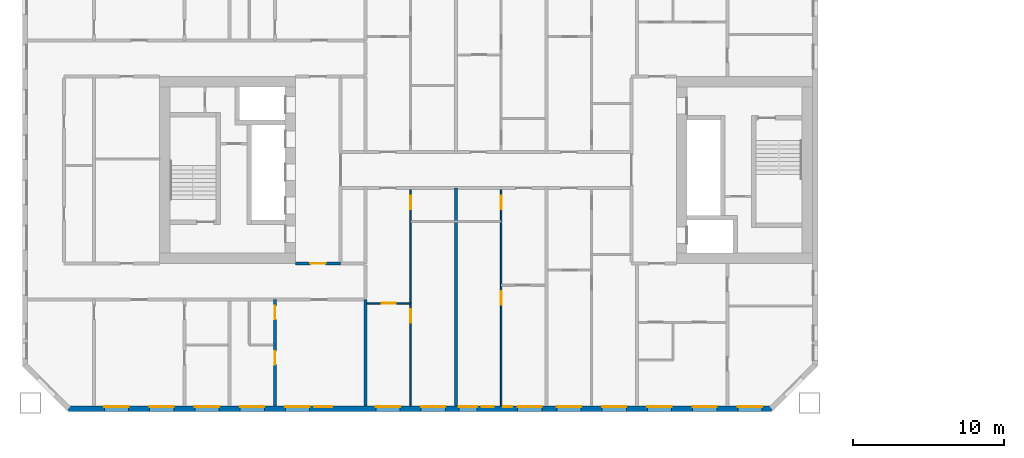
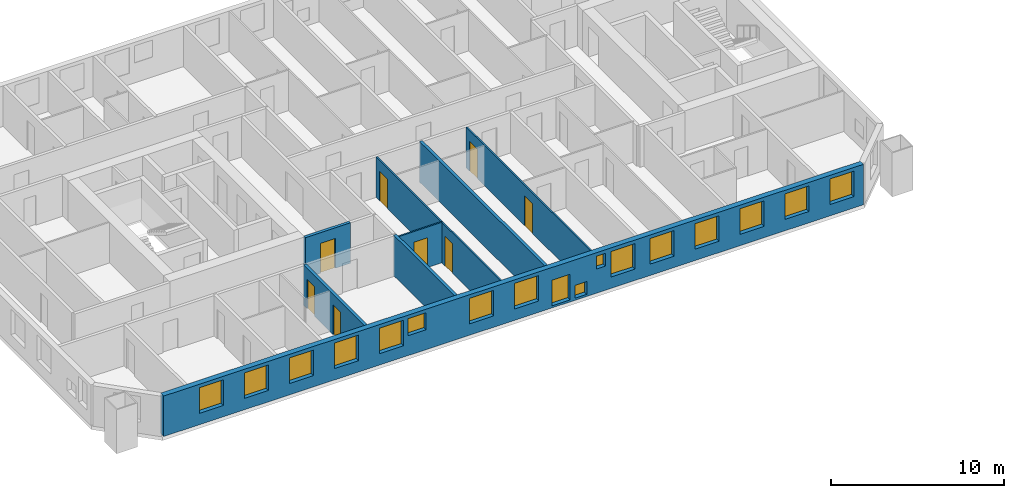
# One storey, part 3 of 17: 17 windows, 8 doors, 8 walls, 25 openings.
"""IFC4 building model written with IfcOpenShell, lengths in metres."""

from ifc_helpers import new_model, si_unit, direction, frame, frame_2d, origin, place, context, subcontext, project, spatial, rectangle, extrude, material, layer, layer_set, type_object, element, fill, save


model = new_model("IFC4")

# Units and contexts
model_context = context("Model", 3, precision=1e-05, world=origin(), true_north=direction((0.0, 1.0)))
body_context = subcontext(model_context, "Body", "Model", "MODEL_VIEW")
ifc_project = project(units=[si_unit("LENGTHUNIT", "METRE"), si_unit("AREAUNIT", "SQUARE_METRE"), si_unit("VOLUMEUNIT", "CUBIC_METRE"), si_unit("PLANEANGLEUNIT", "RADIAN"), si_unit("MASSUNIT", "GRAM", prefix="KILO")], contexts=[model_context])

# Site, building, storey
site_placement = place(None, origin())
site = spatial("IfcSite", under=ifc_project, at=site_placement, CompositionType="ELEMENT")
building_placement = place(site_placement, origin())
building = spatial("IfcBuilding", under=site, at=building_placement, Name="Tuart Gate Housing", CompositionType="ELEMENT")
storey_placement = place(building_placement, frame((0.0, 0.0, 84.0)))
storey = spatial("IfcBuildingStorey", under=building, at=storey_placement, Name="L23", CompositionType="ELEMENT", Elevation=84.0)

# Wall, openings, windows
ifc_material_1 = material(Name="Brick", Category="masonry")
ifc_layer_1 = layer(ifc_material_1, 0.360107421875)
ifc_layer_set_1 = layer_set([ifc_layer_1], Name="Brick pier and spandrel wall 360")
wall_type_1 = type_object("IfcWallType", Name="Brick pier and spandrel wall 360", PredefinedType="STANDARD", material=ifc_layer_set_1)
wall_1_placement = place(storey_placement, frame((26.32470703125, 54.179931640625, 0.0), z_axis=(0.0, 0.0, 1.0), x_axis=(1.0, 0.0, 0.0)))
wall_1 = element("IfcWall", 1, at=wall_1_placement, inside=storey, type_object=wall_type_1, Name="External wall A-S L23", PredefinedType="STANDARD", context=body_context, shape_type="SweptSolid", body=[
    extrude(rectangle(XDim=46.600830078125, YDim=0.360107421875, at=frame_2d((23.30029296875, 0.0))), origin(), (0.0, 0.0, 1.0), 2.85009765625),
])
opening_1_placement = place(wall_1_placement, frame((2.37548828125, 0.0, 0.800048828125)))
opening_1 = element("IfcOpeningElement", 2, at=opening_1_placement, cuts=wall_1, Name="Opening W1", PredefinedType="OPENING", context=body_context, shape_type="SweptSolid", body=[
    extrude(rectangle(XDim=1.60009765625, YDim=1.800048828125, at=frame_2d((0.800048828125, 0.89990234375))), frame((0.0, 0.18994140625, 0.0), z_axis=(0.0, -1.0, 0.0), x_axis=(1.0, 0.0, 0.0)), (0.0, 0.0, 1.0), 0.380126953125),
])
opening_2_placement = place(wall_1_placement, frame((5.37548828125, 0.0, 0.800048828125)))
opening_2 = element("IfcOpeningElement", 3, at=opening_2_placement, cuts=wall_1, Name="Opening W1", PredefinedType="OPENING", context=body_context, shape_type="SweptSolid", body=[
    extrude(rectangle(XDim=1.60009765625, YDim=1.800048828125, at=frame_2d((0.800048828125, 0.89990234375))), frame((0.0, 0.18994140625, 0.0), z_axis=(0.0, -1.0, 0.0), x_axis=(1.0, 0.0, 0.0)), (0.0, 0.0, 1.0), 0.380126953125),
])
opening_3_placement = place(wall_1_placement, frame((8.37548828125, 0.0, 0.800048828125)))
opening_3 = element("IfcOpeningElement", 4, at=opening_3_placement, cuts=wall_1, Name="Opening W1", PredefinedType="OPENING", context=body_context, shape_type="SweptSolid", body=[
    extrude(rectangle(XDim=1.60009765625, YDim=1.800048828125, at=frame_2d((0.800048828125, 0.89990234375))), frame((0.0, 0.18994140625, 0.0), z_axis=(0.0, -1.0, 0.0), x_axis=(1.0, 0.0, 0.0)), (0.0, 0.0, 1.0), 0.380126953125),
])
opening_4_placement = place(wall_1_placement, frame((11.37548828125, 0.0, 0.800048828125)))
opening_4 = element("IfcOpeningElement", 5, at=opening_4_placement, cuts=wall_1, Name="Opening W1", PredefinedType="OPENING", context=body_context, shape_type="SweptSolid", body=[
    extrude(rectangle(XDim=1.60009765625, YDim=1.800048828125, at=frame_2d((0.800048828125, 0.89990234375))), frame((0.0, 0.18994140625, 0.0), z_axis=(0.0, -1.0, 0.0), x_axis=(1.0, 0.0, 0.0)), (0.0, 0.0, 1.0), 0.380126953125),
])
opening_5_placement = place(wall_1_placement, frame((14.37548828125, 0.0, 0.800048828125)))
opening_5 = element("IfcOpeningElement", 6, at=opening_5_placement, cuts=wall_1, Name="Opening W1", PredefinedType="OPENING", context=body_context, shape_type="SweptSolid", body=[
    extrude(rectangle(XDim=1.60009765625, YDim=1.800048828125, at=frame_2d((0.800048828125, 0.89990234375))), frame((0.0, 0.18994140625, 0.0), z_axis=(0.0, -1.0, 0.0), x_axis=(1.0, 0.0, 0.0)), (0.0, 0.0, 1.0), 0.380126953125),
])
opening_6_placement = place(wall_1_placement, frame((16.275390625, 0.0, 1.39990234375)))
opening_6 = element("IfcOpeningElement", 7, at=opening_6_placement, cuts=wall_1, Name="Opening W1N", PredefinedType="OPENING", context=body_context, shape_type="SweptSolid", body=[
    extrude(rectangle(XDim=1.199951171875, YDim=1.199951171875, at=frame_2d((0.60009765625, 0.60009765625))), frame((0.0, 0.18994140625, 0.0), z_axis=(0.0, -1.0, 0.0), x_axis=(1.0, 0.0, 0.0)), (0.0, 0.0, 1.0), 0.380126953125),
])
opening_7_placement = place(wall_1_placement, frame((20.37548828125, 0.0, 0.800048828125)))
opening_7 = element("IfcOpeningElement", 8, at=opening_7_placement, cuts=wall_1, Name="Opening W1", PredefinedType="OPENING", context=body_context, shape_type="SweptSolid", body=[
    extrude(rectangle(XDim=1.60009765625, YDim=1.800048828125, at=frame_2d((0.800048828125, 0.89990234375))), frame((0.0, 0.18994140625, 0.0), z_axis=(0.0, -1.0, 0.0), x_axis=(1.0, 0.0, 0.0)), (0.0, 0.0, 1.0), 0.380126953125),
])
opening_8_placement = place(wall_1_placement, frame((23.37548828125, 0.0, 0.800048828125)))
opening_8 = element("IfcOpeningElement", 9, at=opening_8_placement, cuts=wall_1, Name="Opening W1", PredefinedType="OPENING", context=body_context, shape_type="SweptSolid", body=[
    extrude(rectangle(XDim=1.60009765625, YDim=1.800048828125, at=frame_2d((0.800048828125, 0.89990234375))), frame((0.0, 0.18994140625, 0.0), z_axis=(0.0, -1.0, 0.0), x_axis=(1.0, 0.0, 0.0)), (0.0, 0.0, 1.0), 0.380126953125),
])
opening_9_placement = place(wall_1_placement, frame((25.87548828125, 0.0, 0.14990234375)))
opening_9 = element("IfcOpeningElement", 10, at=opening_9_placement, cuts=wall_1, Name="Opening W1B", PredefinedType="OPENING", context=body_context, shape_type="SweptSolid", body=[
    extrude(rectangle(XDim=1.199951171875, YDim=1.800048828125, at=frame_2d((0.60009765625, 0.89990234375))), frame((0.0, 0.18994140625, 0.0), z_axis=(0.0, -1.0, 0.0), x_axis=(1.0, 0.0, 0.0)), (0.0, 0.0, 1.0), 0.380126953125),
])
opening_10_placement = place(wall_1_placement, frame((28.825439453125, 0.0, 1.699951171875)))
opening_10 = element("IfcOpeningElement", 11, at=opening_10_placement, cuts=wall_1, Name="Opening W1W", PredefinedType="OPENING", context=body_context, shape_type="SweptSolid", body=[
    extrude(rectangle(XDim=0.60009765625, YDim=0.89990234375, at=frame_2d((0.300048828125, 0.449951171875))), frame((0.0, 0.18994140625, 0.0), z_axis=(0.0, -1.0, 0.0), x_axis=(1.0, 0.0, 0.0)), (0.0, 0.0, 1.0), 0.380126953125),
])
opening_11_placement = place(wall_1_placement, frame((32.37548828125, 0.0, 0.800048828125)))
opening_11 = element("IfcOpeningElement", 12, at=opening_11_placement, cuts=wall_1, Name="Opening W1", PredefinedType="OPENING", context=body_context, shape_type="SweptSolid", body=[
    extrude(rectangle(XDim=1.60009765625, YDim=1.800048828125, at=frame_2d((0.800048828125, 0.89990234375))), frame((0.0, 0.18994140625, 0.0), z_axis=(0.0, -1.0, 0.0), x_axis=(1.0, 0.0, 0.0)), (0.0, 0.0, 1.0), 0.380126953125),
])
opening_12_placement = place(wall_1_placement, frame((35.37548828125, 0.0, 0.800048828125)))
opening_12 = element("IfcOpeningElement", 13, at=opening_12_placement, cuts=wall_1, Name="Opening W1", PredefinedType="OPENING", context=body_context, shape_type="SweptSolid", body=[
    extrude(rectangle(XDim=1.60009765625, YDim=1.800048828125, at=frame_2d((0.800048828125, 0.89990234375))), frame((0.0, 0.18994140625, 0.0), z_axis=(0.0, -1.0, 0.0), x_axis=(1.0, 0.0, 0.0)), (0.0, 0.0, 1.0), 0.380126953125),
])
opening_13_placement = place(wall_1_placement, frame((38.37548828125, 0.0, 0.800048828125)))
opening_13 = element("IfcOpeningElement", 14, at=opening_13_placement, cuts=wall_1, Name="Opening W1", PredefinedType="OPENING", context=body_context, shape_type="SweptSolid", body=[
    extrude(rectangle(XDim=1.60009765625, YDim=1.800048828125, at=frame_2d((0.800048828125, 0.89990234375))), frame((0.0, 0.18994140625, 0.0), z_axis=(0.0, -1.0, 0.0), x_axis=(1.0, 0.0, 0.0)), (0.0, 0.0, 1.0), 0.380126953125),
])
opening_14_placement = place(wall_1_placement, frame((41.37548828125, 0.0, 0.800048828125)))
opening_14 = element("IfcOpeningElement", 15, at=opening_14_placement, cuts=wall_1, Name="Opening W1", PredefinedType="OPENING", context=body_context, shape_type="SweptSolid", body=[
    extrude(rectangle(XDim=1.60009765625, YDim=1.800048828125, at=frame_2d((0.800048828125, 0.89990234375))), frame((0.0, 0.18994140625, 0.0), z_axis=(0.0, -1.0, 0.0), x_axis=(1.0, 0.0, 0.0)), (0.0, 0.0, 1.0), 0.380126953125),
])
opening_15_placement = place(wall_1_placement, frame((44.37548828125, 0.0, 0.800048828125)))
opening_15 = element("IfcOpeningElement", 16, at=opening_15_placement, cuts=wall_1, Name="Opening W1", PredefinedType="OPENING", context=body_context, shape_type="SweptSolid", body=[
    extrude(rectangle(XDim=1.60009765625, YDim=1.800048828125, at=frame_2d((0.800048828125, 0.89990234375))), frame((0.0, 0.18994140625, 0.0), z_axis=(0.0, -1.0, 0.0), x_axis=(1.0, 0.0, 0.0)), (0.0, 0.0, 1.0), 0.380126953125),
])
opening_16_placement = place(wall_1_placement, frame((27.37548828125, 0.0, 0.14990234375)))
opening_16 = element("IfcOpeningElement", 17, at=opening_16_placement, cuts=wall_1, Name="Opening W1V", PredefinedType="OPENING", context=body_context, shape_type="SweptSolid", body=[
    extrude(rectangle(XDim=0.800048828125, YDim=0.89990234375, at=frame_2d((0.39990234375, 0.449951171875))), frame((0.0, 0.18994140625, 0.0), z_axis=(0.0, -1.0, 0.0), x_axis=(1.0, 0.0, 0.0)), (0.0, 0.0, 1.0), 0.380126953125),
])
opening_17_placement = place(wall_1_placement, frame((29.775390625, 0.0, 0.800048828125)))
opening_17 = element("IfcOpeningElement", 18, at=opening_17_placement, cuts=wall_1, Name="Opening W1", PredefinedType="OPENING", context=body_context, shape_type="SweptSolid", body=[
    extrude(rectangle(XDim=1.60009765625, YDim=1.800048828125, at=frame_2d((0.800048828125, 0.89990234375))), frame((0.0, 0.18994140625, 0.0), z_axis=(0.0, -1.0, 0.0), x_axis=(1.0, 0.0, 0.0)), (0.0, 0.0, 1.0), 0.380126953125),
])
ifc_material_2 = material(Name="Aluminium frame with clear glass", Category="aluminium")
window_type_1 = type_object("IfcWindowType", Name="Punched window 1200 x 1200", PartitioningType="SINGLE_PANEL", PredefinedType="WINDOW", material=ifc_material_2)
window_1_placement = place(opening_6_placement, origin())
window_1 = element("IfcWindow", 19, at=window_1_placement, inside=storey, type_object=window_type_1, Name="Window W1N", OverallHeight=1.199951171875, OverallWidth=1.199951171875, PartitioningType="SINGLE_PANEL", PredefinedType="WINDOW", context=body_context, shape_type="SweptSolid", body=[
    extrude(rectangle(XDim=1.199951171875, YDim=1.199951171875, at=frame_2d((0.60009765625, 0.60009765625))), frame((0.0, 0.150146484375, 0.0), z_axis=(0.0, -1.0, 0.0), x_axis=(1.0, 0.0, 0.0)), (0.0, 0.0, 1.0), 0.06005859375),
])
fill(opening_6, window_1)
ifc_material_3 = material(Name="Aluminium frame with clear glass", Category="aluminium")
window_type_2 = type_object("IfcWindowType", Name="Punched window 1200 x 1800", PartitioningType="SINGLE_PANEL", PredefinedType="WINDOW", material=ifc_material_3)
window_2_placement = place(opening_9_placement, origin())
window_2 = element("IfcWindow", 20, at=window_2_placement, inside=storey, type_object=window_type_2, Name="Window W1B", OverallHeight=1.800048828125, OverallWidth=1.199951171875, PartitioningType="SINGLE_PANEL", PredefinedType="WINDOW", context=body_context, shape_type="SweptSolid", body=[
    extrude(rectangle(XDim=1.199951171875, YDim=1.800048828125, at=frame_2d((0.60009765625, 0.89990234375))), frame((0.0, 0.150146484375, 0.0), z_axis=(0.0, -1.0, 0.0), x_axis=(1.0, 0.0, 0.0)), (0.0, 0.0, 1.0), 0.06005859375),
])
fill(opening_9, window_2)
ifc_material_4 = material(Name="Aluminium frame with clear glass", Category="aluminium")
window_type_3 = type_object("IfcWindowType", Name="Punched window 1600 x 1800", PartitioningType="SINGLE_PANEL", PredefinedType="WINDOW", material=ifc_material_4)
window_3_placement = place(opening_1_placement, origin())
window_3 = element("IfcWindow", 21, at=window_3_placement, inside=storey, type_object=window_type_3, Name="Window W1", OverallHeight=1.800048828125, OverallWidth=1.60009765625, PartitioningType="SINGLE_PANEL", PredefinedType="WINDOW", context=body_context, shape_type="SweptSolid", body=[
    extrude(rectangle(XDim=1.60009765625, YDim=1.800048828125, at=frame_2d((0.800048828125, 0.89990234375))), frame((0.0, 0.150146484375, 0.0), z_axis=(0.0, -1.0, 0.0), x_axis=(1.0, 0.0, 0.0)), (0.0, 0.0, 1.0), 0.06005859375),
])
fill(opening_1, window_3)
window_4_placement = place(opening_2_placement, origin())
window_4 = element("IfcWindow", 22, at=window_4_placement, inside=storey, type_object=window_type_3, Name="Window W1", OverallHeight=1.800048828125, OverallWidth=1.60009765625, PartitioningType="SINGLE_PANEL", PredefinedType="WINDOW", context=body_context, shape_type="SweptSolid", body=[
    extrude(rectangle(XDim=1.60009765625, YDim=1.800048828125, at=frame_2d((0.800048828125, 0.89990234375))), frame((0.0, 0.150146484375, 0.0), z_axis=(0.0, -1.0, 0.0), x_axis=(1.0, 0.0, 0.0)), (0.0, 0.0, 1.0), 0.06005859375),
])
fill(opening_2, window_4)
window_5_placement = place(opening_3_placement, origin())
window_5 = element("IfcWindow", 23, at=window_5_placement, inside=storey, type_object=window_type_3, Name="Window W1", OverallHeight=1.800048828125, OverallWidth=1.60009765625, PartitioningType="SINGLE_PANEL", PredefinedType="WINDOW", context=body_context, shape_type="SweptSolid", body=[
    extrude(rectangle(XDim=1.60009765625, YDim=1.800048828125, at=frame_2d((0.800048828125, 0.89990234375))), frame((0.0, 0.150146484375, 0.0), z_axis=(0.0, -1.0, 0.0), x_axis=(1.0, 0.0, 0.0)), (0.0, 0.0, 1.0), 0.06005859375),
])
fill(opening_3, window_5)
window_6_placement = place(opening_4_placement, origin())
window_6 = element("IfcWindow", 24, at=window_6_placement, inside=storey, type_object=window_type_3, Name="Window W1", OverallHeight=1.800048828125, OverallWidth=1.60009765625, PartitioningType="SINGLE_PANEL", PredefinedType="WINDOW", context=body_context, shape_type="SweptSolid", body=[
    extrude(rectangle(XDim=1.60009765625, YDim=1.800048828125, at=frame_2d((0.800048828125, 0.89990234375))), frame((0.0, 0.150146484375, 0.0), z_axis=(0.0, -1.0, 0.0), x_axis=(1.0, 0.0, 0.0)), (0.0, 0.0, 1.0), 0.06005859375),
])
fill(opening_4, window_6)
window_7_placement = place(opening_5_placement, origin())
window_7 = element("IfcWindow", 25, at=window_7_placement, inside=storey, type_object=window_type_3, Name="Window W1", OverallHeight=1.800048828125, OverallWidth=1.60009765625, PartitioningType="SINGLE_PANEL", PredefinedType="WINDOW", context=body_context, shape_type="SweptSolid", body=[
    extrude(rectangle(XDim=1.60009765625, YDim=1.800048828125, at=frame_2d((0.800048828125, 0.89990234375))), frame((0.0, 0.150146484375, 0.0), z_axis=(0.0, -1.0, 0.0), x_axis=(1.0, 0.0, 0.0)), (0.0, 0.0, 1.0), 0.06005859375),
])
fill(opening_5, window_7)
window_8_placement = place(opening_7_placement, origin())
window_8 = element("IfcWindow", 26, at=window_8_placement, inside=storey, type_object=window_type_3, Name="Window W1", OverallHeight=1.800048828125, OverallWidth=1.60009765625, PartitioningType="SINGLE_PANEL", PredefinedType="WINDOW", context=body_context, shape_type="SweptSolid", body=[
    extrude(rectangle(XDim=1.60009765625, YDim=1.800048828125, at=frame_2d((0.800048828125, 0.89990234375))), frame((0.0, 0.150146484375, 0.0), z_axis=(0.0, -1.0, 0.0), x_axis=(1.0, 0.0, 0.0)), (0.0, 0.0, 1.0), 0.06005859375),
])
fill(opening_7, window_8)
window_9_placement = place(opening_8_placement, origin())
window_9 = element("IfcWindow", 27, at=window_9_placement, inside=storey, type_object=window_type_3, Name="Window W1", OverallHeight=1.800048828125, OverallWidth=1.60009765625, PartitioningType="SINGLE_PANEL", PredefinedType="WINDOW", context=body_context, shape_type="SweptSolid", body=[
    extrude(rectangle(XDim=1.60009765625, YDim=1.800048828125, at=frame_2d((0.800048828125, 0.89990234375))), frame((0.0, 0.150146484375, 0.0), z_axis=(0.0, -1.0, 0.0), x_axis=(1.0, 0.0, 0.0)), (0.0, 0.0, 1.0), 0.06005859375),
])
fill(opening_8, window_9)
window_10_placement = place(opening_11_placement, origin())
window_10 = element("IfcWindow", 28, at=window_10_placement, inside=storey, type_object=window_type_3, Name="Window W1", OverallHeight=1.800048828125, OverallWidth=1.60009765625, PartitioningType="SINGLE_PANEL", PredefinedType="WINDOW", context=body_context, shape_type="SweptSolid", body=[
    extrude(rectangle(XDim=1.60009765625, YDim=1.800048828125, at=frame_2d((0.800048828125, 0.89990234375))), frame((0.0, 0.150146484375, 0.0), z_axis=(0.0, -1.0, 0.0), x_axis=(1.0, 0.0, 0.0)), (0.0, 0.0, 1.0), 0.06005859375),
])
fill(opening_11, window_10)
window_11_placement = place(opening_12_placement, origin())
window_11 = element("IfcWindow", 29, at=window_11_placement, inside=storey, type_object=window_type_3, Name="Window W1", OverallHeight=1.800048828125, OverallWidth=1.60009765625, PartitioningType="SINGLE_PANEL", PredefinedType="WINDOW", context=body_context, shape_type="SweptSolid", body=[
    extrude(rectangle(XDim=1.60009765625, YDim=1.800048828125, at=frame_2d((0.800048828125, 0.89990234375))), frame((0.0, 0.150146484375, 0.0), z_axis=(0.0, -1.0, 0.0), x_axis=(1.0, 0.0, 0.0)), (0.0, 0.0, 1.0), 0.06005859375),
])
fill(opening_12, window_11)
window_12_placement = place(opening_13_placement, origin())
window_12 = element("IfcWindow", 30, at=window_12_placement, inside=storey, type_object=window_type_3, Name="Window W1", OverallHeight=1.800048828125, OverallWidth=1.60009765625, PartitioningType="SINGLE_PANEL", PredefinedType="WINDOW", context=body_context, shape_type="SweptSolid", body=[
    extrude(rectangle(XDim=1.60009765625, YDim=1.800048828125, at=frame_2d((0.800048828125, 0.89990234375))), frame((0.0, 0.150146484375, 0.0), z_axis=(0.0, -1.0, 0.0), x_axis=(1.0, 0.0, 0.0)), (0.0, 0.0, 1.0), 0.06005859375),
])
fill(opening_13, window_12)
window_13_placement = place(opening_14_placement, origin())
window_13 = element("IfcWindow", 31, at=window_13_placement, inside=storey, type_object=window_type_3, Name="Window W1", OverallHeight=1.800048828125, OverallWidth=1.60009765625, PartitioningType="SINGLE_PANEL", PredefinedType="WINDOW", context=body_context, shape_type="SweptSolid", body=[
    extrude(rectangle(XDim=1.60009765625, YDim=1.800048828125, at=frame_2d((0.800048828125, 0.89990234375))), frame((0.0, 0.150146484375, 0.0), z_axis=(0.0, -1.0, 0.0), x_axis=(1.0, 0.0, 0.0)), (0.0, 0.0, 1.0), 0.06005859375),
])
fill(opening_14, window_13)
window_14_placement = place(opening_15_placement, origin())
window_14 = element("IfcWindow", 32, at=window_14_placement, inside=storey, type_object=window_type_3, Name="Window W1", OverallHeight=1.800048828125, OverallWidth=1.60009765625, PartitioningType="SINGLE_PANEL", PredefinedType="WINDOW", context=body_context, shape_type="SweptSolid", body=[
    extrude(rectangle(XDim=1.60009765625, YDim=1.800048828125, at=frame_2d((0.800048828125, 0.89990234375))), frame((0.0, 0.150146484375, 0.0), z_axis=(0.0, -1.0, 0.0), x_axis=(1.0, 0.0, 0.0)), (0.0, 0.0, 1.0), 0.06005859375),
])
fill(opening_15, window_14)
window_15_placement = place(opening_17_placement, origin())
window_15 = element("IfcWindow", 33, at=window_15_placement, inside=storey, type_object=window_type_3, Name="Window W1", OverallHeight=1.800048828125, OverallWidth=1.60009765625, PartitioningType="SINGLE_PANEL", PredefinedType="WINDOW", context=body_context, shape_type="SweptSolid", body=[
    extrude(rectangle(XDim=1.60009765625, YDim=1.800048828125, at=frame_2d((0.800048828125, 0.89990234375))), frame((0.0, 0.150146484375, 0.0), z_axis=(0.0, -1.0, 0.0), x_axis=(1.0, 0.0, 0.0)), (0.0, 0.0, 1.0), 0.06005859375),
])
fill(opening_17, window_15)
ifc_material_5 = material(Name="Aluminium frame with clear glass", Category="aluminium")
window_type_4 = type_object("IfcWindowType", Name="Punched window 600 x 900", PartitioningType="SINGLE_PANEL", PredefinedType="WINDOW", material=ifc_material_5)
window_16_placement = place(opening_10_placement, origin())
window_16 = element("IfcWindow", 34, at=window_16_placement, inside=storey, type_object=window_type_4, Name="Window W1W", OverallHeight=0.89990234375, OverallWidth=0.60009765625, PartitioningType="SINGLE_PANEL", PredefinedType="WINDOW", context=body_context, shape_type="SweptSolid", body=[
    extrude(rectangle(XDim=0.60009765625, YDim=0.89990234375, at=frame_2d((0.300048828125, 0.449951171875))), frame((0.0, 0.150146484375, 0.0), z_axis=(0.0, -1.0, 0.0), x_axis=(1.0, 0.0, 0.0)), (0.0, 0.0, 1.0), 0.06005859375),
])
fill(opening_10, window_16)
ifc_material_6 = material(Name="Aluminium frame with clear glass", Category="aluminium")
window_type_5 = type_object("IfcWindowType", Name="Punched window 800 x 900", PartitioningType="SINGLE_PANEL", PredefinedType="WINDOW", material=ifc_material_6)
window_17_placement = place(opening_16_placement, origin())
window_17 = element("IfcWindow", 35, at=window_17_placement, inside=storey, type_object=window_type_5, Name="Window W1V", OverallHeight=0.89990234375, OverallWidth=0.800048828125, PartitioningType="SINGLE_PANEL", PredefinedType="WINDOW", context=body_context, shape_type="SweptSolid", body=[
    extrude(rectangle(XDim=0.800048828125, YDim=0.89990234375, at=frame_2d((0.39990234375, 0.449951171875))), frame((0.0, 0.150146484375, 0.0), z_axis=(0.0, -1.0, 0.0), x_axis=(1.0, 0.0, 0.0)), (0.0, 0.0, 1.0), 0.06005859375),
])
fill(opening_16, window_17)

# Wall, opening, door
ifc_material_7 = material(Name="Concrete masonry 15 MPa", Category="masonry")
ifc_layer_2 = layer(ifc_material_7, 0.199951171875)
ifc_layer_set_2 = layer_set([ifc_layer_2], Name="Enclosure wall masonry 200")
wall_type_2 = type_object("IfcWallType", Name="Enclosure wall masonry 200", PredefinedType="PARTITIONING", material=ifc_layer_set_2)
wall_2_placement = place(storey_placement, frame((41.360107421875, 63.800048828125, 0.0), z_axis=(0.0, 0.0, 1.0), x_axis=(1.0, 0.0, 0.0)))
wall_2 = element("IfcWall", 36, at=wall_2_placement, inside=storey, type_object=wall_type_2, Name="Enclosure wall masonry 200", PredefinedType="PARTITIONING", context=body_context, shape_type="SweptSolid", body=[
    extrude(rectangle(XDim=3.0, YDim=0.199951171875, at=frame_2d((1.5, 0.0))), origin(), (0.0, 0.0, 1.0), 2.85009765625),
])
opening_18_placement = place(wall_2_placement, frame((1.0, 0.0, 0.0)))
opening_18 = element("IfcOpeningElement", 37, at=opening_18_placement, cuts=wall_2, Name="Opening D991", PredefinedType="OPENING", context=body_context, shape_type="SweptSolid", body=[
    extrude(rectangle(XDim=1.0, YDim=2.10009765625, at=frame_2d((0.5, 1.050048828125))), frame((0.0, 0.10986328125, 0.0), z_axis=(0.0, -1.0, 0.0), x_axis=(1.0, 0.0, 0.0)), (0.0, 0.0, 1.0), 0.219970703125),
])
ifc_material_8 = material(Name="Timber door leaf in steel frame", Category="steel")
door_type_1 = type_object("IfcDoorType", Name="Fire door 1000", OperationType="SINGLE_SWING_LEFT", PredefinedType="DOOR", material=ifc_material_8)
door_1_placement = place(opening_18_placement, frame((1.0, 0.0, 0.0), z_axis=(0.0, 0.0, 1.0), x_axis=(-1.0, 0.0, 0.0)))
door_1 = element("IfcDoor", 38, at=door_1_placement, inside=storey, type_object=door_type_1, Name="Fire door", OperationType="SINGLE_SWING_LEFT", OverallHeight=2.10009765625, OverallWidth=1.0, PredefinedType="DOOR", context=body_context, shape_type="SweptSolid", body=[
    extrude(rectangle(XDim=1.0, YDim=2.10009765625, at=frame_2d((0.5, 1.050048828125))), frame((0.0, 0.025146484375, 0.0), z_axis=(0.0, -1.0, 0.0), x_axis=(1.0, 0.0, 0.0)), (0.0, 0.0, 1.0), 0.050048828125),
])
fill(opening_18, door_1)

ifc_material_9 = material(Name="Gypsum board on steel studs", Category="steel")
ifc_layer_3 = layer(ifc_material_9, 0.10009765625)
ifc_layer_set_3 = layer_set([ifc_layer_3], Name="Partition 100")
wall_type_3 = type_object("IfcWallType", Name="Partition 100", PredefinedType="PARTITIONING", material=ifc_layer_set_3)
wall_3_placement = place(storey_placement, frame((46.10009765625, 61.159912109375, 0.0), z_axis=(0.0, 0.0, 1.0), x_axis=(1.0, 0.0, 0.0)))
wall_3 = element("IfcWall", 39, at=wall_3_placement, inside=storey, type_object=wall_type_3, Name="Partition 100", PredefinedType="PARTITIONING", context=body_context, shape_type="SweptSolid", body=[
    extrude(rectangle(XDim=2.89990234375, YDim=0.10009765625, at=frame_2d((1.449951171875, 0.0))), origin(), (0.0, 0.0, 1.0), 2.85009765625),
])
opening_19_placement = place(wall_3_placement, frame((1.0, 0.0, 0.0)))
opening_19 = element("IfcOpeningElement", 40, at=opening_19_placement, cuts=wall_3, Name="Opening D1003", PredefinedType="OPENING", context=body_context, shape_type="SweptSolid", body=[
    extrude(rectangle(XDim=0.89990234375, YDim=2.10009765625, at=frame_2d((0.449951171875, 1.050048828125))), frame((0.0, 0.06005859375, 0.0), z_axis=(0.0, -1.0, 0.0), x_axis=(1.0, 0.0, 0.0)), (0.0, 0.0, 1.0), 0.1201171875),
])
ifc_material_10 = material(Name="Timber door leaf in steel frame", Category="steel")
door_type_2 = type_object("IfcDoorType", Name="Internal door 900 RH", OperationType="SINGLE_SWING_RIGHT", PredefinedType="DOOR", material=ifc_material_10)
door_2_placement = place(opening_19_placement, origin())
door_2 = element("IfcDoor", 41, at=door_2_placement, inside=storey, type_object=door_type_2, Name="Internal door", OperationType="SINGLE_SWING_RIGHT", OverallHeight=2.10009765625, OverallWidth=0.89990234375, PredefinedType="DOOR", context=body_context, shape_type="SweptSolid", body=[
    extrude(rectangle(XDim=0.89990234375, YDim=2.10009765625, at=frame_2d((0.449951171875, 1.050048828125))), frame((0.0, 0.02490234375, 0.0), z_axis=(0.0, -1.0, 0.0), x_axis=(1.0, 0.0, 0.0)), (0.0, 0.0, 1.0), 0.050048828125),
])
fill(opening_19, door_2)

# Wall, openings, doors
wall_4_placement = place(storey_placement, frame((49.0, 54.360107421875, 0.0), z_axis=(0.0, 0.0, 1.0), x_axis=(0.0, 1.0, 0.0)))
wall_4 = element("IfcWall", 42, at=wall_4_placement, inside=storey, type_object=wall_type_3, Name="Partition 100", PredefinedType="PARTITIONING", context=body_context, shape_type="SweptSolid", body=[
    extrude(rectangle(XDim=14.33984375, YDim=0.10009765625, at=frame_2d((7.169921875, 0.0))), origin(), (0.0, 0.0, 1.0), 2.85009765625),
])
opening_20_placement = place(wall_4_placement, frame((5.5, 0.0, 0.0)))
opening_20 = element("IfcOpeningElement", 43, at=opening_20_placement, cuts=wall_4, Name="Opening D996", PredefinedType="OPENING", context=body_context, shape_type="SweptSolid", body=[
    extrude(rectangle(XDim=0.89990234375, YDim=2.10009765625, at=frame_2d((0.449951171875, 1.050048828125))), frame((0.0, 0.06005859375, 0.0), z_axis=(0.0, -1.0, 0.0), x_axis=(1.0, 0.0, 0.0)), (0.0, 0.0, 1.0), 0.1201171875),
])
opening_21_placement = place(wall_4_placement, frame((13.0400390625, 0.0, 0.0)))
opening_21 = element("IfcOpeningElement", 44, at=opening_21_placement, cuts=wall_4, Name="Opening D995", PredefinedType="OPENING", context=body_context, shape_type="SweptSolid", body=[
    extrude(rectangle(XDim=0.89990234375, YDim=2.10009765625, at=frame_2d((0.449951171875, 1.050048828125))), frame((0.0, 0.06005859375, 0.0), z_axis=(0.0, -1.0, 0.0), x_axis=(1.0, 0.0, 0.0)), (0.0, 0.0, 1.0), 0.1201171875),
])
ifc_material_11 = material(Name="Timber door leaf in steel frame", Category="steel")
door_type_3 = type_object("IfcDoorType", Name="Bathroom door 900", OperationType="SINGLE_SWING_LEFT", PredefinedType="DOOR", material=ifc_material_11)
door_3_placement = place(opening_21_placement, frame((0.89990234375, 0.0, 0.0), z_axis=(0.0, 0.0, 1.0), x_axis=(-1.0, 0.0, 0.0)))
door_3 = element("IfcDoor", 45, at=door_3_placement, inside=storey, type_object=door_type_3, Name="Bathroom door", OperationType="SINGLE_SWING_LEFT", OverallHeight=2.10009765625, OverallWidth=0.89990234375, PredefinedType="DOOR", context=body_context, shape_type="SweptSolid", body=[
    extrude(rectangle(XDim=0.89990234375, YDim=2.10009765625, at=frame_2d((0.449951171875, 1.050048828125))), frame((0.0, 0.025146484375, 0.0), z_axis=(0.0, -1.0, 0.0), x_axis=(1.0, 0.0, 0.0)), (0.0, 0.0, 1.0), 0.050048828125),
])
fill(opening_21, door_3)
door_4_placement = place(opening_20_placement, frame((0.89990234375, 0.0, 0.0), z_axis=(0.0, 0.0, 1.0), x_axis=(-1.0, 0.0, 0.0)))
door_4 = element("IfcDoor", 46, at=door_4_placement, inside=storey, type_object=door_type_2, Name="Internal door", OperationType="SINGLE_SWING_RIGHT", OverallHeight=2.10009765625, OverallWidth=0.89990234375, PredefinedType="DOOR", context=body_context, shape_type="SweptSolid", body=[
    extrude(rectangle(XDim=0.89990234375, YDim=2.10009765625, at=frame_2d((0.449951171875, 1.050048828125))), frame((0.0, 0.025146484375, 0.0), z_axis=(0.0, -1.0, 0.0), x_axis=(1.0, 0.0, 0.0)), (0.0, 0.0, 1.0), 0.050048828125),
])
fill(opening_20, door_4)

wall_5_placement = place(storey_placement, frame((55.0, 54.360107421875, 0.0), z_axis=(0.0, 0.0, 1.0), x_axis=(0.0, 1.0, 0.0)))
wall_5 = element("IfcWall", 47, at=wall_5_placement, inside=storey, type_object=wall_type_3, Name="Partition 100", PredefinedType="PARTITIONING", context=body_context, shape_type="SweptSolid", body=[
    extrude(rectangle(XDim=14.33984375, YDim=0.10009765625, at=frame_2d((7.169921875, 0.0))), origin(), (0.0, 0.0, 1.0), 2.85009765625),
])
opening_22_placement = place(wall_5_placement, frame((6.699951171875, 0.0, 0.0)))
opening_22 = element("IfcOpeningElement", 48, at=opening_22_placement, cuts=wall_5, Name="Opening D998", PredefinedType="OPENING", context=body_context, shape_type="SweptSolid", body=[
    extrude(rectangle(XDim=0.89990234375, YDim=2.10009765625, at=frame_2d((0.449951171875, 1.050048828125))), frame((0.0, 0.06005859375, 0.0), z_axis=(0.0, -1.0, 0.0), x_axis=(1.0, 0.0, 0.0)), (0.0, 0.0, 1.0), 0.1201171875),
])
opening_23_placement = place(wall_5_placement, frame((13.0400390625, 0.0, 0.0)))
opening_23 = element("IfcOpeningElement", 49, at=opening_23_placement, cuts=wall_5, Name="Opening D997", PredefinedType="OPENING", context=body_context, shape_type="SweptSolid", body=[
    extrude(rectangle(XDim=0.89990234375, YDim=2.10009765625, at=frame_2d((0.449951171875, 1.050048828125))), frame((0.0, 0.06005859375, 0.0), z_axis=(0.0, -1.0, 0.0), x_axis=(1.0, 0.0, 0.0)), (0.0, 0.0, 1.0), 0.1201171875),
])
ifc_material_12 = material(Name="Timber door leaf in steel frame", Category="steel")
door_type_4 = type_object("IfcDoorType", Name="Bathroom door 900 RH", OperationType="SINGLE_SWING_RIGHT", PredefinedType="DOOR", material=ifc_material_12)
door_5_placement = place(opening_23_placement, origin())
door_5 = element("IfcDoor", 50, at=door_5_placement, inside=storey, type_object=door_type_4, Name="Bathroom door", OperationType="SINGLE_SWING_RIGHT", OverallHeight=2.10009765625, OverallWidth=0.89990234375, PredefinedType="DOOR", context=body_context, shape_type="SweptSolid", body=[
    extrude(rectangle(XDim=0.89990234375, YDim=2.10009765625, at=frame_2d((0.449951171875, 1.050048828125))), frame((0.0, 0.02490234375, 0.0), z_axis=(0.0, -1.0, 0.0), x_axis=(1.0, 0.0, 0.0)), (0.0, 0.0, 1.0), 0.050048828125),
])
fill(opening_23, door_5)
door_6_placement = place(opening_22_placement, origin())
door_6 = element("IfcDoor", 51, at=door_6_placement, inside=storey, type_object=door_type_2, Name="Internal door", OperationType="SINGLE_SWING_RIGHT", OverallHeight=2.10009765625, OverallWidth=0.89990234375, PredefinedType="DOOR", context=body_context, shape_type="SweptSolid", body=[
    extrude(rectangle(XDim=0.89990234375, YDim=2.10009765625, at=frame_2d((0.449951171875, 1.050048828125))), frame((0.0, 0.02490234375, 0.0), z_axis=(0.0, -1.0, 0.0), x_axis=(1.0, 0.0, 0.0)), (0.0, 0.0, 1.0), 0.050048828125),
])
fill(opening_22, door_6)

ifc_material_13 = material(Name="Concrete C40", Category="concrete")
ifc_layer_4 = layer(ifc_material_13, 0.199951171875)
ifc_layer_set_4 = layer_set([ifc_layer_4], Name="Party wall concrete C40 200")
wall_type_4 = type_object("IfcWallType", Name="Party wall concrete C40 200", PredefinedType="SOLIDWALL", material=ifc_layer_set_4)
wall_6_placement = place(storey_placement, frame((40.0, 54.360107421875, 0.0), z_axis=(0.0, 0.0, 1.0), x_axis=(0.0, 1.0, 0.0)))
wall_6 = element("IfcWall", 52, at=wall_6_placement, inside=storey, type_object=wall_type_4, Name="Party wall concrete C40 200", PredefinedType="SOLIDWALL", context=body_context, shape_type="SweptSolid", body=[
    extrude(rectangle(XDim=7.039794921875, YDim=0.199951171875, at=frame_2d((3.52001953125, 0.0))), origin(), (0.0, 0.0, 1.0), 2.85009765625),
])
opening_24_placement = place(wall_6_placement, frame((2.739990234375, 0.0, 0.0)))
opening_24 = element("IfcOpeningElement", 53, at=opening_24_placement, cuts=wall_6, Name="Opening D1012", PredefinedType="OPENING", context=body_context, shape_type="SweptSolid", body=[
    extrude(rectangle(XDim=0.89990234375, YDim=2.10009765625, at=frame_2d((0.449951171875, 1.050048828125))), frame((0.0, 0.10986328125, 0.0), z_axis=(0.0, -1.0, 0.0), x_axis=(1.0, 0.0, 0.0)), (0.0, 0.0, 1.0), 0.219970703125),
])
opening_25_placement = place(wall_6_placement, frame((5.739990234375, 0.0, 0.0)))
opening_25 = element("IfcOpeningElement", 54, at=opening_25_placement, cuts=wall_6, Name="Opening D1011", PredefinedType="OPENING", context=body_context, shape_type="SweptSolid", body=[
    extrude(rectangle(XDim=0.89990234375, YDim=2.10009765625, at=frame_2d((0.449951171875, 1.050048828125))), frame((0.0, 0.10986328125, 0.0), z_axis=(0.0, -1.0, 0.0), x_axis=(1.0, 0.0, 0.0)), (0.0, 0.0, 1.0), 0.219970703125),
])
door_7_placement = place(opening_25_placement, origin())
door_7 = element("IfcDoor", 55, at=door_7_placement, inside=storey, type_object=door_type_4, Name="Bathroom door", OperationType="SINGLE_SWING_RIGHT", OverallHeight=2.10009765625, OverallWidth=0.89990234375, PredefinedType="DOOR", context=body_context, shape_type="SweptSolid", body=[
    extrude(rectangle(XDim=0.89990234375, YDim=2.10009765625, at=frame_2d((0.449951171875, 1.050048828125))), frame((0.0, 0.02490234375, 0.0), z_axis=(0.0, -1.0, 0.0), x_axis=(1.0, 0.0, 0.0)), (0.0, 0.0, 1.0), 0.050048828125),
])
fill(opening_25, door_7)
door_8_placement = place(opening_24_placement, origin())
door_8 = element("IfcDoor", 56, at=door_8_placement, inside=storey, type_object=door_type_2, Name="Internal door", OperationType="SINGLE_SWING_RIGHT", OverallHeight=2.10009765625, OverallWidth=0.89990234375, PredefinedType="DOOR", context=body_context, shape_type="SweptSolid", body=[
    extrude(rectangle(XDim=0.89990234375, YDim=2.10009765625, at=frame_2d((0.449951171875, 1.050048828125))), frame((0.0, 0.02490234375, 0.0), z_axis=(0.0, -1.0, 0.0), x_axis=(1.0, 0.0, 0.0)), (0.0, 0.0, 1.0), 0.050048828125),
])
fill(opening_24, door_8)

# Walls
wall_7_placement = place(storey_placement, frame((46.0, 54.360107421875, 0.0), z_axis=(0.0, 0.0, 1.0), x_axis=(0.0, 1.0, 0.0)))
element("IfcWall", 57, at=wall_7_placement, inside=storey, type_object=wall_type_4, Name="Party wall concrete C40 200", PredefinedType="SOLIDWALL", context=body_context, shape_type="SweptSolid", body=[
    extrude(rectangle(XDim=7.039794921875, YDim=0.199951171875, at=frame_2d((3.52001953125, 0.0))), origin(), (0.0, 0.0, 1.0), 2.85009765625),
])
wall_8_placement = place(storey_placement, frame((52.0, 54.360107421875, 0.0), z_axis=(0.0, 0.0, 1.0), x_axis=(0.0, 1.0, 0.0)))
element("IfcWall", 58, at=wall_8_placement, inside=storey, type_object=wall_type_4, Name="Party wall concrete C40 200", PredefinedType="SOLIDWALL", context=body_context, shape_type="SweptSolid", body=[
    extrude(rectangle(XDim=14.43994140625, YDim=0.199951171875, at=frame_2d((7.219970703125, 0.0))), origin(), (0.0, 0.0, 1.0), 2.85009765625),
])

save(model, "model.ifc")
